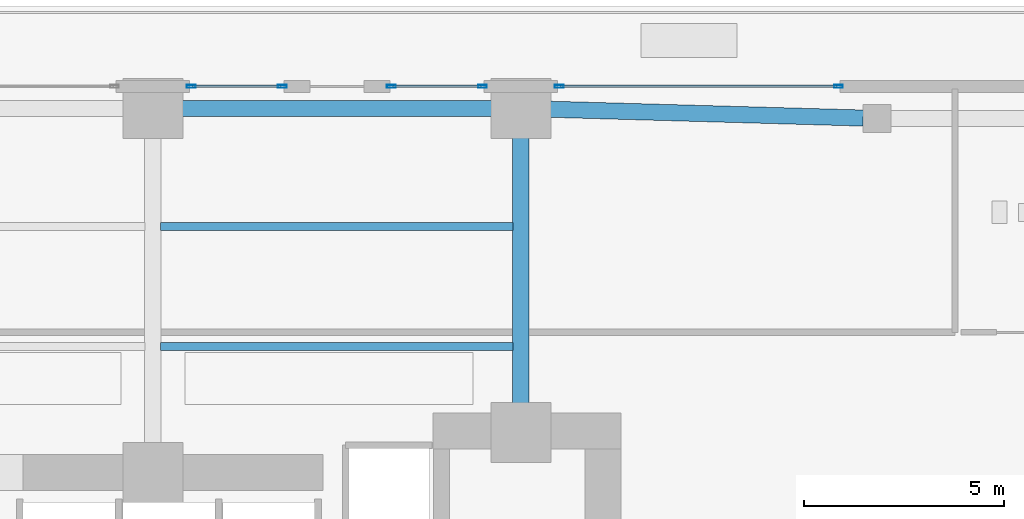
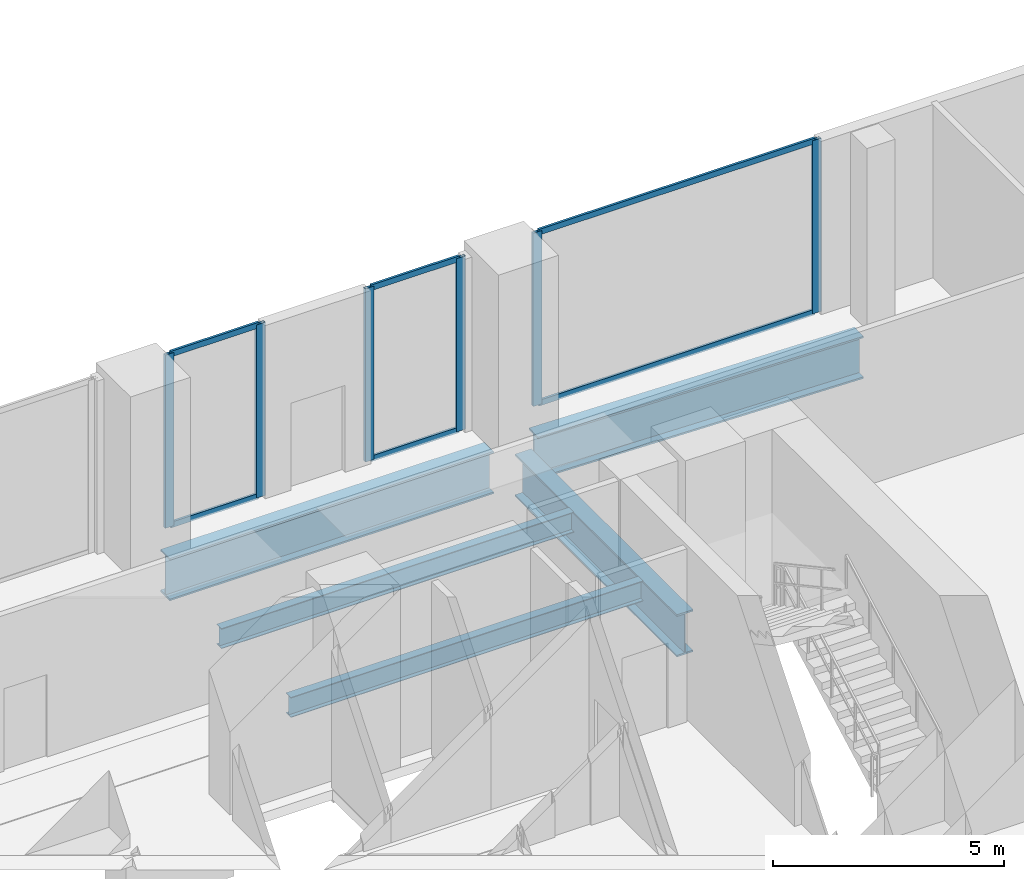
# One storey, part 16 of 28: 12 members, 5 beams, 3 elements without a shape of their own.
"""IFC4 building model written with IfcOpenShell, lengths in metres."""

from ifc_helpers import new_model, si_unit, direction, frame, origin, origin_2d, place, context, subcontext, project, spatial, hollow_rectangle, i_section, extrude, material, layer, layer_set, material_profile, profile_set, type_object, element, aggregate, save


model = new_model("IFC4")

# Units and contexts
model_context = context("Model", 3, precision=1e-05, world=origin(), true_north=direction((0.0, 1.0)))
body_context = subcontext(model_context, "Body", "Model", "MODEL_VIEW")
ifc_project = project(units=[si_unit("LENGTHUNIT", "METRE"), si_unit("AREAUNIT", "SQUARE_METRE"), si_unit("VOLUMEUNIT", "CUBIC_METRE"), si_unit("PLANEANGLEUNIT", "RADIAN"), si_unit("MASSUNIT", "GRAM", prefix="KILO")], contexts=[model_context])

# Site, building, storey
site_placement = place(None, origin())
site = spatial("IfcSite", under=ifc_project, at=site_placement, CompositionType="ELEMENT")
building_placement = place(site_placement, origin())
building = spatial("IfcBuilding", under=site, at=building_placement, Name="Zuhayl Quay Hotel", CompositionType="ELEMENT")
storey_placement = place(building_placement, frame((0.0, 0.0, 22.800048828125)))
storey = spatial("IfcBuildingStorey", under=building, at=storey_placement, Name="L04", CompositionType="ELEMENT", Elevation=22.800048828125)

# Beams
ifc_material_1 = material(Name="Steel ASTM A992 Grade 50", Category="steel")
ifc_material_profile_1 = material_profile(ifc_material_1, i_section(OverallWidth=0.208984375, OverallDepth=0.532958984375, WebThickness=0.01025390625, FlangeThickness=0.015625, at=origin_2d()), Name="W21X62")
ifc_profile_set_1 = profile_set([ifc_material_profile_1], Name="Steel ASTM A992 Grade 50")
beam_type_1 = type_object("IfcBeamType", Name="BM_J1_W21X62", PredefinedType="JOIST", material=ifc_profile_set_1)
for number, where, z_axis, x_axis, name in (
    (1, (4.7939453125, 16.5, -0.526611328125), (1.0, 0.0, 0.0), (0.0, 1.0, 0.0), "L04 Floor Beam J_POD_L04_4_3"),
    (2, (4.7939453125, 19.5, -0.526611328125), (1.0, 0.0, 0.0), (0.0, 1.0, 0.0), "L04 Floor Beam J_POD_L04_5_3"),
):
    element("IfcBeam", number, at=place(storey_placement, frame(where, z_axis=z_axis, x_axis=x_axis)), inside=storey, type_object=beam_type_1, Name=name, PredefinedType="JOIST", context=body_context, shape_type="SweptSolid", body=[
        extrude(i_section(OverallWidth=0.208984375, OverallDepth=0.532958984375, WebThickness=0.01025390625, FlangeThickness=0.015625, at=origin_2d()), origin(), (0.0, 0.0, 1.0), 8.81201171875),
    ])
ifc_material_2 = material(Name="Steel ASTM A913 Grade 65", Category="steel")
ifc_material_profile_2 = material_profile(ifc_material_2, i_section(OverallWidth=0.404052734375, OverallDepth=1.117919921875, WebThickness=0.026123046875, FlangeThickness=0.044921875, at=origin_2d()), Name="W44X335")
ifc_profile_set_2 = profile_set([ifc_material_profile_2], Name="Steel ASTM A913 Grade 65")
beam_type_2 = type_object("IfcBeamType", Name="BM_TG1_W44X335", PredefinedType="BEAM", material=ifc_profile_set_2)
beam_1_placement = place(storey_placement, frame((5.14990234375, 22.449951171875, -0.819091796875), z_axis=(1.0, 0.0, 0.0), x_axis=(0.0, 1.0, 0.0)))
element("IfcBeam", 3, at=beam_1_placement, inside=storey, type_object=beam_type_2, Name="L04 Floor Beam PG_N_L04_4", PredefinedType="BEAM", context=body_context, shape_type="SweptSolid", body=[
    extrude(i_section(OverallWidth=0.404052734375, OverallDepth=1.117919921875, WebThickness=0.026123046875, FlangeThickness=0.044921875, at=origin_2d()), origin(), (0.0, 0.0, 1.0), 8.10009765625),
])
beam_2_placement = place(storey_placement, frame((14.349853515625, 22.4345703125, -0.819091796875), z_axis=(0.99960539529, -0.028090099801, 0.0), x_axis=(0.028090099801, 0.99960539529, 0.0)))
element("IfcBeam", 4, at=beam_2_placement, inside=storey, type_object=beam_type_2, Name="L04 Floor Beam PG_N_L04_5", PredefinedType="BEAM", context=body_context, shape_type="SweptSolid", body=[
    extrude(i_section(OverallWidth=0.404052734375, OverallDepth=1.117919921875, WebThickness=0.026123046875, FlangeThickness=0.044921875, at=origin_2d()), origin(), (0.0, 0.0, 1.0), 8.013427734375),
])
beam_3_placement = place(storey_placement, frame((13.800048828125, 14.919921875, -0.819091796875), z_axis=(0.0, 1.0, 0.0), x_axis=(-1.0, 0.0, 0.0)))
element("IfcBeam", 5, at=beam_3_placement, inside=storey, type_object=beam_type_2, Name="L04 Floor Beam PG_NS3_L04_4", PredefinedType="BEAM", context=body_context, shape_type="SweptSolid", body=[
    extrude(i_section(OverallWidth=0.404052734375, OverallDepth=1.117919921875, WebThickness=0.026123046875, FlangeThickness=0.044921875, at=origin_2d()), origin(), (0.0, 0.0, 1.0), 7.010009765625),
])

# Curtain wall, members
ifc_material_3 = material(Name="Anodised Aluminium 6063-T6", Category="aluminium")
ifc_layer = layer(ifc_material_3, 0.199951171875, Name="Anodised Aluminium 6063-T6", Category="aluminium")
ifc_layer_set = layer_set([ifc_layer], Name="Anodised Aluminium 6063-T6")
curtain_wall_type = type_object("IfcCurtainWallType", Name="CW_SYS_POD", PredefinedType="USERDEFINED", material=ifc_layer_set)
curtain_wall_1_placement = place(storey_placement, origin())
curtain_wall_1 = element("IfcCurtainWall", 6, at=curtain_wall_1_placement, inside=storey, type_object=curtain_wall_type, Name="L04 Curtain Wall ENV_L04_E05_CW6", ObjectType="UNITISED CURTAIN WALL", PredefinedType="USERDEFINED")
ifc_material_4 = material(Name="Black-anodised aluminium 6063-T6", Category="aluminium")
ifc_material_profile_3 = material_profile(ifc_material_4, hollow_rectangle(XDim=0.074951171875, YDim=0.219970703125, WallThickness=0.00390625, at=origin_2d()), Name="ALU220X75")
ifc_profile_set_3 = profile_set([ifc_material_profile_3], Name="Black-anodised aluminium 6063-T6")
member_type_1 = type_object("IfcMemberType", Name="MB_CW_MUL_220", PredefinedType="MULLION", material=ifc_profile_set_3)
member_1_placement = place(storey_placement, frame((5.5576171875, 23.0, 0.0), z_axis=(0.0, 0.0, 1.0), x_axis=(0.0, 1.0, 0.0)))
member_1 = element("IfcMember", 7, at=member_1_placement, type_object=member_type_1, Name="CW-POD mullion 1", PredefinedType="MULLION", context=body_context, shape_type="SweptSolid", body=[
    extrude(hollow_rectangle(XDim=0.074951171875, YDim=0.219970703125, WallThickness=0.00390625, at=origin_2d()), origin(), (0.0, 0.0, 1.0), 4.579833984375),
])
member_2_placement = place(storey_placement, frame((7.83740234375, 23.0, 0.0), z_axis=(0.0, 0.0, 1.0), x_axis=(0.0, 1.0, 0.0)))
member_2 = element("IfcMember", 8, at=member_2_placement, type_object=member_type_1, Name="CW-POD mullion 2", PredefinedType="MULLION", context=body_context, shape_type="SweptSolid", body=[
    extrude(hollow_rectangle(XDim=0.074951171875, YDim=0.219970703125, WallThickness=0.00390625, at=origin_2d()), origin(), (0.0, 0.0, 1.0), 4.579833984375),
])

curtain_wall_2_placement = place(storey_placement, origin())
curtain_wall_2 = element("IfcCurtainWall", 9, at=curtain_wall_2_placement, inside=storey, type_object=curtain_wall_type, Name="L04 Curtain Wall ENV_L04_E05_CW7", ObjectType="UNITISED CURTAIN WALL", PredefinedType="USERDEFINED")
member_3_placement = place(storey_placement, frame((10.5625, 23.0, 0.0), z_axis=(0.0, 0.0, 1.0), x_axis=(0.0, 1.0, 0.0)))
member_3 = element("IfcMember", 10, at=member_3_placement, type_object=member_type_1, Name="CW-POD mullion 1", PredefinedType="MULLION", context=body_context, shape_type="SweptSolid", body=[
    extrude(hollow_rectangle(XDim=0.074951171875, YDim=0.219970703125, WallThickness=0.00390625, at=origin_2d()), origin(), (0.0, 0.0, 1.0), 4.579833984375),
])
member_4_placement = place(storey_placement, frame((12.842529296875, 23.0, 0.0), z_axis=(0.0, 0.0, 1.0), x_axis=(0.0, 1.0, 0.0)))
member_4 = element("IfcMember", 11, at=member_4_placement, type_object=member_type_1, Name="CW-POD mullion 2", PredefinedType="MULLION", context=body_context, shape_type="SweptSolid", body=[
    extrude(hollow_rectangle(XDim=0.074951171875, YDim=0.219970703125, WallThickness=0.00390625, at=origin_2d()), origin(), (0.0, 0.0, 1.0), 4.579833984375),
])

curtain_wall_3_placement = place(storey_placement, origin())
curtain_wall_3 = element("IfcCurtainWall", 12, at=curtain_wall_3_placement, inside=storey, type_object=curtain_wall_type, Name="L04 Curtain Wall ENV_L04_E05_CW8", ObjectType="UNITISED CURTAIN WALL", PredefinedType="USERDEFINED")
member_5_placement = place(storey_placement, frame((14.757568359375, 23.0, 0.0), z_axis=(0.0, 0.0, 1.0), x_axis=(0.0, 1.0, 0.0)))
member_5 = element("IfcMember", 13, at=member_5_placement, type_object=member_type_1, Name="CW-POD mullion 1", PredefinedType="MULLION", context=body_context, shape_type="SweptSolid", body=[
    extrude(hollow_rectangle(XDim=0.074951171875, YDim=0.219970703125, WallThickness=0.00390625, at=origin_2d()), origin(), (0.0, 0.0, 1.0), 4.579833984375),
])
member_6_placement = place(storey_placement, frame((21.742431640625, 23.0, 0.0), z_axis=(0.0, 0.0, 1.0), x_axis=(0.0, 1.0, 0.0)))
member_6 = element("IfcMember", 14, at=member_6_placement, type_object=member_type_1, Name="CW-POD mullion 2", PredefinedType="MULLION", context=body_context, shape_type="SweptSolid", body=[
    extrude(hollow_rectangle(XDim=0.074951171875, YDim=0.219970703125, WallThickness=0.00390625, at=origin_2d()), origin(), (0.0, 0.0, 1.0), 4.579833984375),
])

# Member
ifc_material_profile_4 = material_profile(ifc_material_4, hollow_rectangle(XDim=0.06005859375, YDim=0.14990234375, WallThickness=0.00341796875, at=origin_2d()), Name="ALU150X60")
ifc_profile_set_4 = profile_set([ifc_material_profile_4], Name="Black-anodised aluminium 6063-T6")
member_type_2 = type_object("IfcMemberType", Name="MB_CW_TRN_150", PredefinedType="USERDEFINED", material=ifc_profile_set_4)
member_7_placement = place(storey_placement, frame((5.594970703125, 23.0, 0.030029296875), z_axis=(1.0, 0.0, 0.0), x_axis=(0.0, 1.0, 0.0)))
member_7 = element("IfcMember", 15, at=member_7_placement, type_object=member_type_2, Name="CW-POD transom 1.1", ObjectType="TRANSOM", PredefinedType="USERDEFINED", context=body_context, shape_type="SweptSolid", body=[
    extrude(hollow_rectangle(XDim=0.06005859375, YDim=0.14990234375, WallThickness=0.00341796875, at=origin_2d()), origin(), (0.0, 0.0, 1.0), 2.205078125),
])

member_8_placement = place(storey_placement, frame((5.594970703125, 23.0, 4.550048828125), z_axis=(1.0, 0.0, 0.0), x_axis=(0.0, 1.0, 0.0)))
member_8 = element("IfcMember", 16, at=member_8_placement, type_object=member_type_2, Name="CW-POD transom 1.2", ObjectType="TRANSOM", PredefinedType="USERDEFINED", context=body_context, shape_type="SweptSolid", body=[
    extrude(hollow_rectangle(XDim=0.06005859375, YDim=0.14990234375, WallThickness=0.00341796875, at=origin_2d()), origin(), (0.0, 0.0, 1.0), 2.205078125),
])

aggregate(curtain_wall_1, [member_1, member_2, member_7, member_8])

member_9_placement = place(storey_placement, frame((10.60009765625, 23.0, 0.030029296875), z_axis=(1.0, 0.0, 0.0), x_axis=(0.0, 1.0, 0.0)))
member_9 = element("IfcMember", 17, at=member_9_placement, type_object=member_type_2, Name="CW-POD transom 1.1", ObjectType="TRANSOM", PredefinedType="USERDEFINED", context=body_context, shape_type="SweptSolid", body=[
    extrude(hollow_rectangle(XDim=0.06005859375, YDim=0.14990234375, WallThickness=0.00341796875, at=origin_2d()), origin(), (0.0, 0.0, 1.0), 2.204833984375),
])

member_10_placement = place(storey_placement, frame((10.60009765625, 23.0, 4.550048828125), z_axis=(1.0, 0.0, 0.0), x_axis=(0.0, 1.0, 0.0)))
member_10 = element("IfcMember", 18, at=member_10_placement, type_object=member_type_2, Name="CW-POD transom 1.2", ObjectType="TRANSOM", PredefinedType="USERDEFINED", context=body_context, shape_type="SweptSolid", body=[
    extrude(hollow_rectangle(XDim=0.06005859375, YDim=0.14990234375, WallThickness=0.00341796875, at=origin_2d()), origin(), (0.0, 0.0, 1.0), 2.204833984375),
])

aggregate(curtain_wall_2, [member_3, member_4, member_9, member_10])

member_11_placement = place(storey_placement, frame((14.794921875, 23.0, 0.030029296875), z_axis=(1.0, 0.0, 0.0), x_axis=(0.0, 1.0, 0.0)))
member_11 = element("IfcMember", 19, at=member_11_placement, type_object=member_type_2, Name="CW-POD transom 1.1", ObjectType="TRANSOM", PredefinedType="USERDEFINED", context=body_context, shape_type="SweptSolid", body=[
    extrude(hollow_rectangle(XDim=0.06005859375, YDim=0.14990234375, WallThickness=0.00341796875, at=origin_2d()), origin(), (0.0, 0.0, 1.0), 6.91015625),
])

member_12_placement = place(storey_placement, frame((14.794921875, 23.0, 4.550048828125), z_axis=(1.0, 0.0, 0.0), x_axis=(0.0, 1.0, 0.0)))
member_12 = element("IfcMember", 20, at=member_12_placement, type_object=member_type_2, Name="CW-POD transom 1.2", ObjectType="TRANSOM", PredefinedType="USERDEFINED", context=body_context, shape_type="SweptSolid", body=[
    extrude(hollow_rectangle(XDim=0.06005859375, YDim=0.14990234375, WallThickness=0.00341796875, at=origin_2d()), origin(), (0.0, 0.0, 1.0), 6.91015625),
])

aggregate(curtain_wall_3, [member_5, member_6, member_11, member_12])

save(model, "model.ifc")
